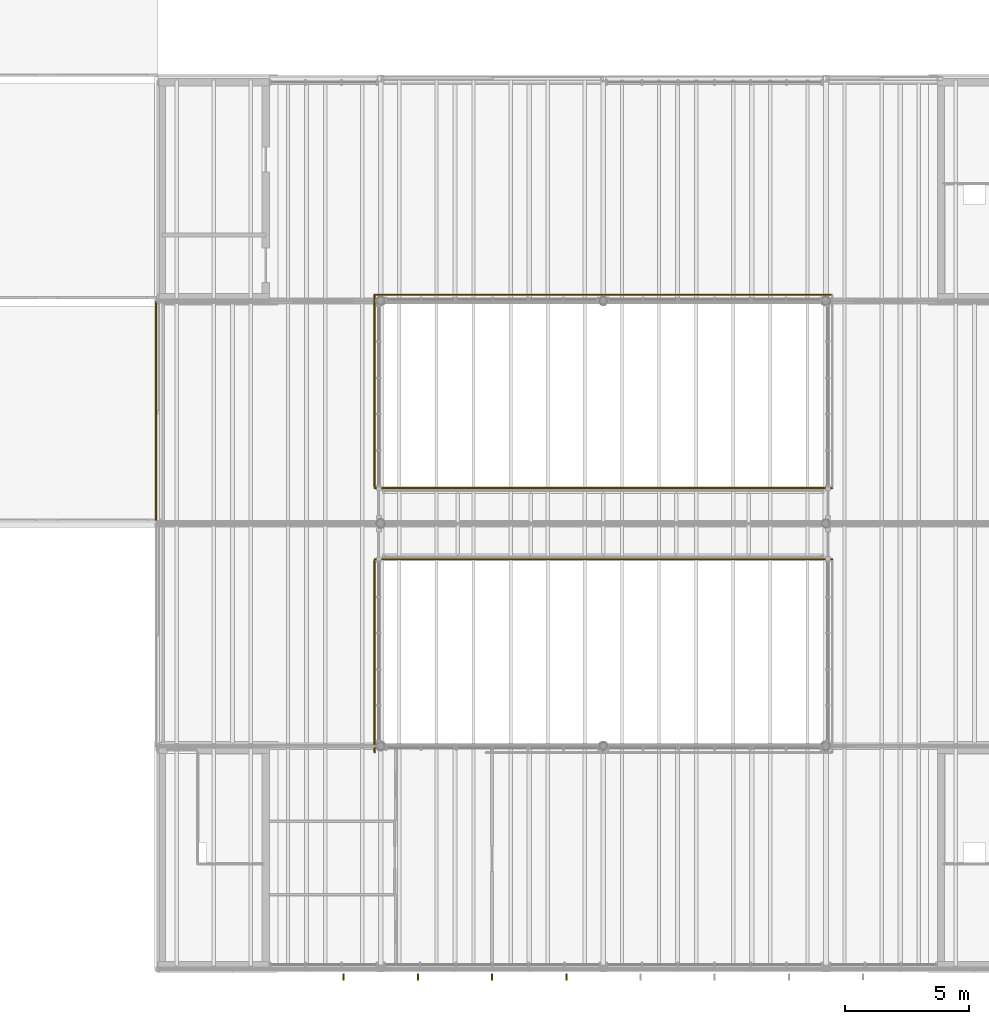
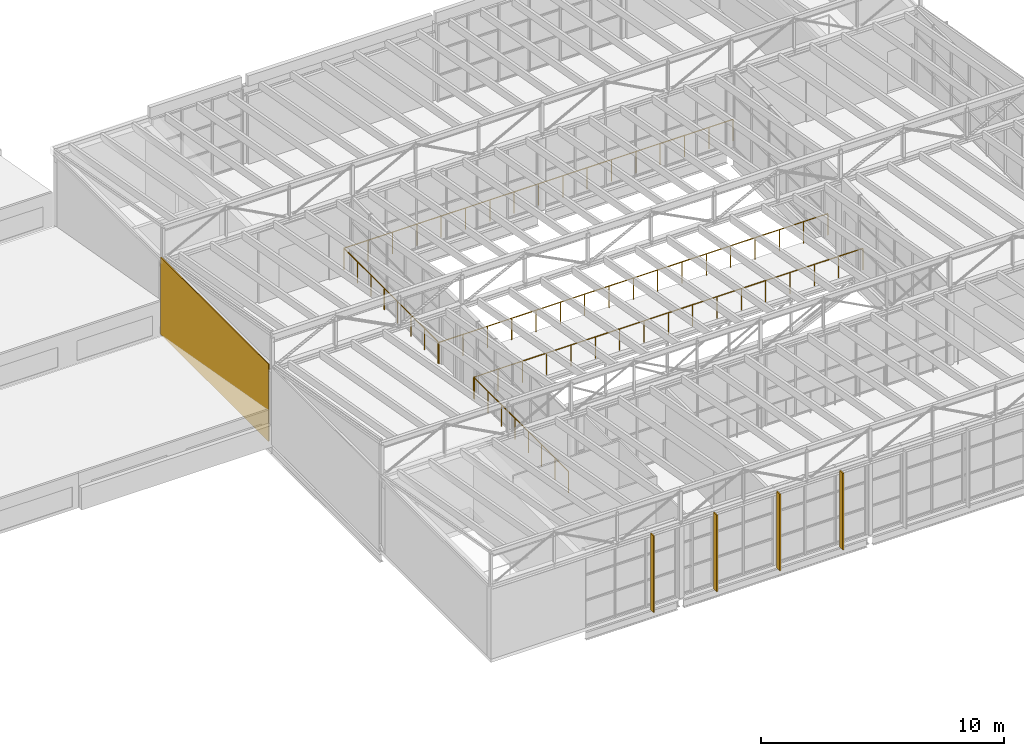
# One storey, part 42 of 44: 5 railings, 4 shading devices, 1 covering.
"""IFC4 building model written with IfcOpenShell, lengths in metres."""

from ifc_helpers import new_model, si_unit, direction, frame, frame_2d, origin, origin_2d, place, context, subcontext, project, spatial, rectangle, circle, extrude, material, layer, layer_set, type_object, element, save


model = new_model("IFC4")

# Units and contexts
model_context = context("Model", 3, precision=1e-05, world=origin(), true_north=direction((0.0, 1.0)))
body_context = subcontext(model_context, "Body", "Model", "MODEL_VIEW")
ifc_project = project(units=[si_unit("LENGTHUNIT", "METRE"), si_unit("AREAUNIT", "SQUARE_METRE"), si_unit("VOLUMEUNIT", "CUBIC_METRE"), si_unit("PLANEANGLEUNIT", "RADIAN"), si_unit("MASSUNIT", "GRAM", prefix="KILO")], contexts=[model_context])

# Site, building, storey
site_placement = place(None, origin())
site = spatial("IfcSite", under=ifc_project, at=site_placement, CompositionType="ELEMENT")
building_placement = place(site_placement, origin())
building = spatial("IfcBuilding", under=site, at=building_placement, Name="Halyard Row Museum", CompositionType="ELEMENT")
storey_placement = place(building_placement, frame((0.0, 0.0, 21.199951171875)))
storey = spatial("IfcBuildingStorey", under=building, at=storey_placement, Name="L04", CompositionType="ELEMENT", Elevation=21.199951171875)

# Railings
ifc_material_1 = material(Name="Steel Grade 300", Category="steel")
railing_type = type_object("IfcRailingType", Name="Guard GR2 steel balustrade 1100", PredefinedType="GUARDRAIL", material=ifc_material_1)
for number, where, name in (
    (1, (80.75, 8.75, 0.0), "Guard GR210"),
    (2, (80.75, 19.5, 0.0), "Guard GR211"),
):
    element("IfcRailing", number, at=place(storey_placement, frame(where)), inside=storey, type_object=railing_type, Name=name, PredefinedType="GUARDRAIL", context=body_context, shape_type="SweptSolid", body=[
        extrude(circle(Radius=0.02392578125, at=origin_2d()), frame((0.0, 0.0, 1.076171875), z_axis=(0.0, 1.0, 0.0), x_axis=(-1.0, 0.0, 0.0)), (0.0, 0.0, 1.0), 7.75),
        extrude(circle(Radius=0.02099609375, at=origin_2d()), origin(), (0.0, 0.0, 1.0), 1.052001953125),
        extrude(circle(Radius=0.02099609375, at=origin_2d()), frame((0.0, 1.107177734375, 0.0)), (0.0, 0.0, 1.0), 1.052001953125),
        extrude(circle(Radius=0.02099609375, at=origin_2d()), frame((0.0, 2.21435546875, 0.0)), (0.0, 0.0, 1.0), 1.052001953125),
        extrude(circle(Radius=0.02099609375, at=origin_2d()), frame((0.0, 3.321533203125, 0.0)), (0.0, 0.0, 1.0), 1.052001953125),
        extrude(circle(Radius=0.02099609375, at=origin_2d()), frame((0.0, 4.428466796875, 0.0)), (0.0, 0.0, 1.0), 1.052001953125),
        extrude(circle(Radius=0.02099609375, at=origin_2d()), frame((0.0, 5.53564453125, 0.0)), (0.0, 0.0, 1.0), 1.052001953125),
        extrude(circle(Radius=0.02099609375, at=origin_2d()), frame((0.0, 6.642822265625, 0.0)), (0.0, 0.0, 1.0), 1.052001953125),
        extrude(circle(Radius=0.02099609375, at=origin_2d()), frame((0.0, 7.75, 0.0)), (0.0, 0.0, 1.0), 1.052001953125),
    ])
railing_1_placement = place(storey_placement, frame((80.75, 27.25, 0.0)))
element("IfcRailing", 3, at=railing_1_placement, inside=storey, type_object=railing_type, Name="Guard GR215", PredefinedType="GUARDRAIL", context=body_context, shape_type="SweptSolid", body=[
    extrude(circle(Radius=0.02392578125, at=origin_2d()), frame((0.0, 0.0, 1.076171875), z_axis=(1.0, 0.0, 0.0), x_axis=(0.0, 1.0, 0.0)), (0.0, 0.0, 1.0), 18.5),
    extrude(circle(Radius=0.02099609375, at=origin_2d()), origin(), (0.0, 0.0, 1.0), 1.052001953125),
    extrude(circle(Radius=0.02099609375, at=origin_2d()), frame((1.15625, 0.0, 0.0)), (0.0, 0.0, 1.0), 1.052001953125),
    extrude(circle(Radius=0.02099609375, at=origin_2d()), frame((2.3125, 0.0, 0.0)), (0.0, 0.0, 1.0), 1.052001953125),
    extrude(circle(Radius=0.02099609375, at=origin_2d()), frame((3.46875, 0.0, 0.0)), (0.0, 0.0, 1.0), 1.052001953125),
    extrude(circle(Radius=0.02099609375, at=origin_2d()), frame((4.625, 0.0, 0.0)), (0.0, 0.0, 1.0), 1.052001953125),
    extrude(circle(Radius=0.02099609375, at=origin_2d()), frame((5.78125, 0.0, 0.0)), (0.0, 0.0, 1.0), 1.052001953125),
    extrude(circle(Radius=0.02099609375, at=origin_2d()), frame((6.9375, 0.0, 0.0)), (0.0, 0.0, 1.0), 1.052001953125),
    extrude(circle(Radius=0.02099609375, at=origin_2d()), frame((8.09375, 0.0, 0.0)), (0.0, 0.0, 1.0), 1.052001953125),
    extrude(circle(Radius=0.02099609375, at=origin_2d()), frame((9.25, 0.0, 0.0)), (0.0, 0.0, 1.0), 1.052001953125),
    extrude(circle(Radius=0.02099609375, at=origin_2d()), frame((10.40625, 0.0, 0.0)), (0.0, 0.0, 1.0), 1.052001953125),
    extrude(circle(Radius=0.02099609375, at=origin_2d()), frame((11.5625, 0.0, 0.0)), (0.0, 0.0, 1.0), 1.052001953125),
    extrude(circle(Radius=0.02099609375, at=origin_2d()), frame((12.71875, 0.0, 0.0)), (0.0, 0.0, 1.0), 1.052001953125),
    extrude(circle(Radius=0.02099609375, at=origin_2d()), frame((13.875, 0.0, 0.0)), (0.0, 0.0, 1.0), 1.052001953125),
    extrude(circle(Radius=0.02099609375, at=origin_2d()), frame((15.03125, 0.0, 0.0)), (0.0, 0.0, 1.0), 1.052001953125),
    extrude(circle(Radius=0.02099609375, at=origin_2d()), frame((16.1875, 0.0, 0.0)), (0.0, 0.0, 1.0), 1.052001953125),
    extrude(circle(Radius=0.02099609375, at=origin_2d()), frame((17.34375, 0.0, 0.0)), (0.0, 0.0, 1.0), 1.052001953125),
    extrude(circle(Radius=0.02099609375, at=origin_2d()), frame((18.5, 0.0, 0.0)), (0.0, 0.0, 1.0), 1.052001953125),
])
railing_2_placement = place(storey_placement, frame((80.75, 16.56005859375, 0.0)))
element("IfcRailing", 4, at=railing_2_placement, inside=storey, type_object=railing_type, Name="Guard GR218", PredefinedType="GUARDRAIL", context=body_context, shape_type="SweptSolid", body=[
    extrude(circle(Radius=0.02392578125, at=origin_2d()), frame((0.0, 0.0, 1.076171875), z_axis=(1.0, 0.0, 0.0), x_axis=(0.0, 1.0, 0.0)), (0.0, 0.0, 1.0), 18.5),
    extrude(circle(Radius=0.02099609375, at=origin_2d()), origin(), (0.0, 0.0, 1.0), 1.052001953125),
    extrude(circle(Radius=0.02099609375, at=origin_2d()), frame((1.15625, 0.0, 0.0)), (0.0, 0.0, 1.0), 1.052001953125),
    extrude(circle(Radius=0.02099609375, at=origin_2d()), frame((2.3125, 0.0, 0.0)), (0.0, 0.0, 1.0), 1.052001953125),
    extrude(circle(Radius=0.02099609375, at=origin_2d()), frame((3.46875, 0.0, 0.0)), (0.0, 0.0, 1.0), 1.052001953125),
    extrude(circle(Radius=0.02099609375, at=origin_2d()), frame((4.625, 0.0, 0.0)), (0.0, 0.0, 1.0), 1.052001953125),
    extrude(circle(Radius=0.02099609375, at=origin_2d()), frame((5.78125, 0.0, 0.0)), (0.0, 0.0, 1.0), 1.052001953125),
    extrude(circle(Radius=0.02099609375, at=origin_2d()), frame((6.9375, 0.0, 0.0)), (0.0, 0.0, 1.0), 1.052001953125),
    extrude(circle(Radius=0.02099609375, at=origin_2d()), frame((8.09375, 0.0, 0.0)), (0.0, 0.0, 1.0), 1.052001953125),
    extrude(circle(Radius=0.02099609375, at=origin_2d()), frame((9.25, 0.0, 0.0)), (0.0, 0.0, 1.0), 1.052001953125),
    extrude(circle(Radius=0.02099609375, at=origin_2d()), frame((10.40625, 0.0, 0.0)), (0.0, 0.0, 1.0), 1.052001953125),
    extrude(circle(Radius=0.02099609375, at=origin_2d()), frame((11.5625, 0.0, 0.0)), (0.0, 0.0, 1.0), 1.052001953125),
    extrude(circle(Radius=0.02099609375, at=origin_2d()), frame((12.71875, 0.0, 0.0)), (0.0, 0.0, 1.0), 1.052001953125),
    extrude(circle(Radius=0.02099609375, at=origin_2d()), frame((13.875, 0.0, 0.0)), (0.0, 0.0, 1.0), 1.052001953125),
    extrude(circle(Radius=0.02099609375, at=origin_2d()), frame((15.03125, 0.0, 0.0)), (0.0, 0.0, 1.0), 1.052001953125),
    extrude(circle(Radius=0.02099609375, at=origin_2d()), frame((16.1875, 0.0, 0.0)), (0.0, 0.0, 1.0), 1.052001953125),
    extrude(circle(Radius=0.02099609375, at=origin_2d()), frame((17.34375, 0.0, 0.0)), (0.0, 0.0, 1.0), 1.052001953125),
    extrude(circle(Radius=0.02099609375, at=origin_2d()), frame((18.5, 0.0, 0.0)), (0.0, 0.0, 1.0), 1.052001953125),
])
railing_3_placement = place(storey_placement, frame((80.75, 19.43994140625, 0.0)))
element("IfcRailing", 5, at=railing_3_placement, inside=storey, type_object=railing_type, Name="Guard GR219", PredefinedType="GUARDRAIL", context=body_context, shape_type="SweptSolid", body=[
    extrude(circle(Radius=0.02392578125, at=origin_2d()), frame((0.0, 0.0, 1.076171875), z_axis=(1.0, 0.0, 0.0), x_axis=(0.0, 1.0, 0.0)), (0.0, 0.0, 1.0), 18.5),
    extrude(circle(Radius=0.02099609375, at=origin_2d()), origin(), (0.0, 0.0, 1.0), 1.052001953125),
    extrude(circle(Radius=0.02099609375, at=origin_2d()), frame((1.15625, 0.0, 0.0)), (0.0, 0.0, 1.0), 1.052001953125),
    extrude(circle(Radius=0.02099609375, at=origin_2d()), frame((2.3125, 0.0, 0.0)), (0.0, 0.0, 1.0), 1.052001953125),
    extrude(circle(Radius=0.02099609375, at=origin_2d()), frame((3.46875, 0.0, 0.0)), (0.0, 0.0, 1.0), 1.052001953125),
    extrude(circle(Radius=0.02099609375, at=origin_2d()), frame((4.625, 0.0, 0.0)), (0.0, 0.0, 1.0), 1.052001953125),
    extrude(circle(Radius=0.02099609375, at=origin_2d()), frame((5.78125, 0.0, 0.0)), (0.0, 0.0, 1.0), 1.052001953125),
    extrude(circle(Radius=0.02099609375, at=origin_2d()), frame((6.9375, 0.0, 0.0)), (0.0, 0.0, 1.0), 1.052001953125),
    extrude(circle(Radius=0.02099609375, at=origin_2d()), frame((8.09375, 0.0, 0.0)), (0.0, 0.0, 1.0), 1.052001953125),
    extrude(circle(Radius=0.02099609375, at=origin_2d()), frame((9.25, 0.0, 0.0)), (0.0, 0.0, 1.0), 1.052001953125),
    extrude(circle(Radius=0.02099609375, at=origin_2d()), frame((10.40625, 0.0, 0.0)), (0.0, 0.0, 1.0), 1.052001953125),
    extrude(circle(Radius=0.02099609375, at=origin_2d()), frame((11.5625, 0.0, 0.0)), (0.0, 0.0, 1.0), 1.052001953125),
    extrude(circle(Radius=0.02099609375, at=origin_2d()), frame((12.71875, 0.0, 0.0)), (0.0, 0.0, 1.0), 1.052001953125),
    extrude(circle(Radius=0.02099609375, at=origin_2d()), frame((13.875, 0.0, 0.0)), (0.0, 0.0, 1.0), 1.052001953125),
    extrude(circle(Radius=0.02099609375, at=origin_2d()), frame((15.03125, 0.0, 0.0)), (0.0, 0.0, 1.0), 1.052001953125),
    extrude(circle(Radius=0.02099609375, at=origin_2d()), frame((16.1875, 0.0, 0.0)), (0.0, 0.0, 1.0), 1.052001953125),
    extrude(circle(Radius=0.02099609375, at=origin_2d()), frame((17.34375, 0.0, 0.0)), (0.0, 0.0, 1.0), 1.052001953125),
    extrude(circle(Radius=0.02099609375, at=origin_2d()), frame((18.5, 0.0, 0.0)), (0.0, 0.0, 1.0), 1.052001953125),
])

# Covering
ifc_material_2 = material(Name="Fire-retardant Type A timber battens", Category="wood")
ifc_layer = layer(ifc_material_2, 0.050048828125)
ifc_layer_set = layer_set([ifc_layer], Name="Fire-retardant Type A timber battens")
covering_type = type_object("IfcCoveringType", Name="Timber batten cladding 50", PredefinedType="CLADDING", material=ifc_layer_set)
covering_placement = place(storey_placement, frame((71.9150390625, 27.0, 0.0), z_axis=(0.0, 0.0, 1.0), x_axis=(0.0, -1.0, 0.0)))
element("IfcCovering", 6, at=covering_placement, inside=storey, type_object=covering_type, Name="Cladding CLL04-003", PredefinedType="CLADDING", context=body_context, shape_type="SweptSolid", body=[
    extrude(rectangle(XDim=8.875, YDim=0.050048828125, at=frame_2d((4.4375, 0.0))), origin(), (0.0, 0.0, 1.0), 3.878173828125),
])

# Shading devices
ifc_material_3 = material(Name="Glue-laminated timber GL12, oiled", Category="wood")
shading_device_type = type_object("IfcShadingDeviceType", Name="Timber fin 60 x 250", PredefinedType="USERDEFINED", material=ifc_material_3)
for number, where, z_axis, x_axis, name in (
    (7, (79.5, -0.324951171875, 0.0), (0.0, 0.0, 1.0), (1.0, 0.0, 0.0), "Timber fin"),
    (8, (82.5, -0.324951171875, 0.0), (0.0, 0.0, 1.0), (1.0, 0.0, 0.0), "Timber fin"),
    (9, (85.5, -0.324951171875, 0.0), (0.0, 0.0, 1.0), (1.0, 0.0, 0.0), "Timber fin"),
    (10, (88.5, -0.324951171875, 0.0), (0.0, 0.0, 1.0), (1.0, 0.0, 0.0), "Timber fin"),
):
    element("IfcShadingDevice", number, at=place(storey_placement, frame(where, z_axis=z_axis, x_axis=x_axis)), inside=storey, type_object=shading_device_type, Name=name, ObjectType="FIN", PredefinedType="USERDEFINED", context=body_context, shape_type="SweptSolid", body=[
        extrude(rectangle(XDim=0.06005859375, YDim=0.25, at=origin_2d()), origin(), (0.0, 0.0, 1.0), 3.85009765625),
    ])

save(model, "model.ifc")
